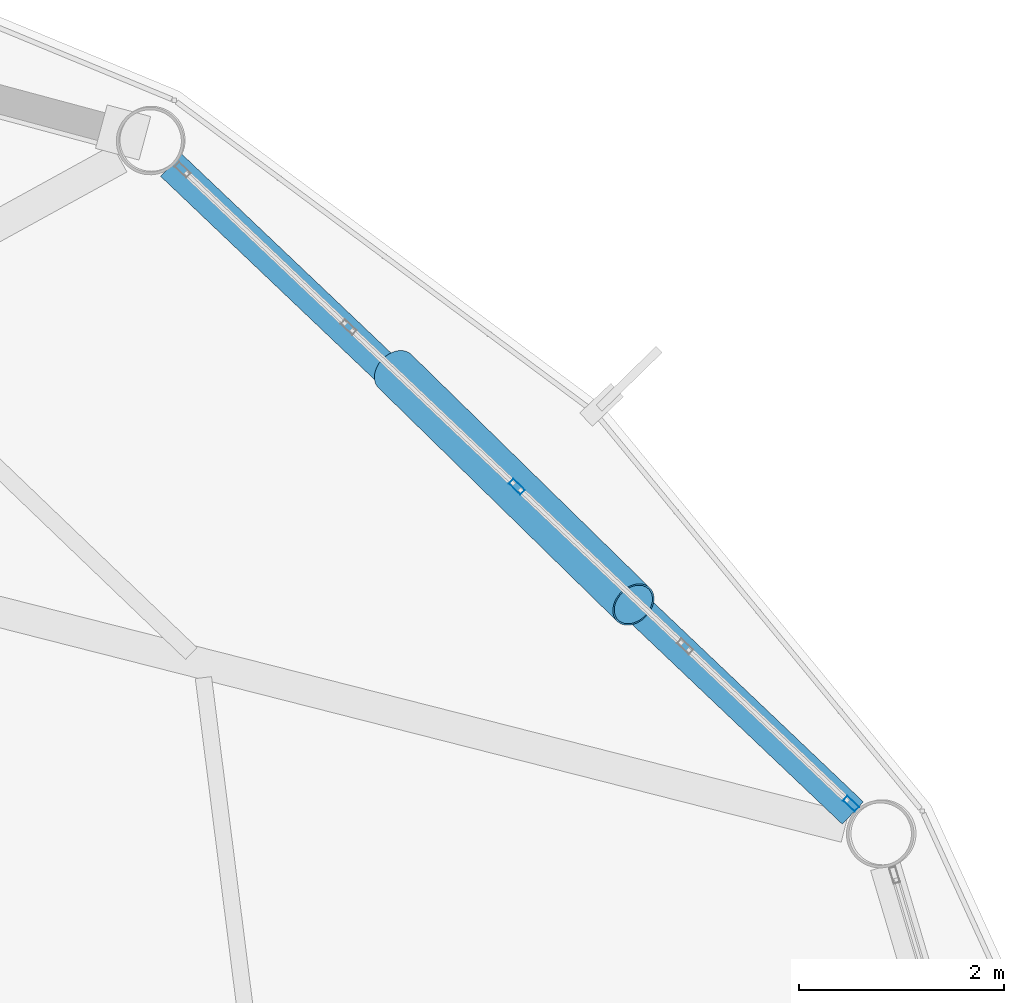
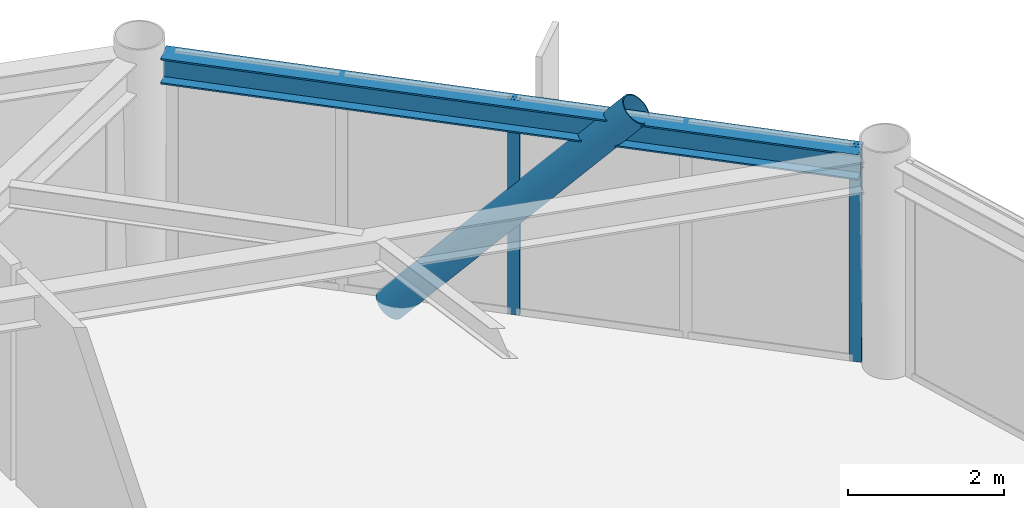
# One storey, part 17 of 28: 3 members, 1 beam, 1 element without a shape of its own.
"""IFC4 building model written with IfcOpenShell, lengths in metres."""

from ifc_helpers import new_model, si_unit, direction, frame, origin, origin_2d, place, context, subcontext, project, spatial, hollow_rectangle, hollow_circle, i_section, extrude, material, layer, layer_set, material_profile, profile_set, type_object, element, aggregate, save


model = new_model("IFC4")

# Units and contexts
model_context = context("Model", 3, precision=1e-05, world=origin(), true_north=direction((0.0, 1.0)))
body_context = subcontext(model_context, "Body", "Model", "MODEL_VIEW")
ifc_project = project(units=[si_unit("LENGTHUNIT", "METRE"), si_unit("AREAUNIT", "SQUARE_METRE"), si_unit("VOLUMEUNIT", "CUBIC_METRE"), si_unit("PLANEANGLEUNIT", "RADIAN"), si_unit("MASSUNIT", "GRAM", prefix="KILO")], contexts=[model_context])

# Site, building, storey
site_placement = place(None, origin())
site = spatial("IfcSite", under=ifc_project, at=site_placement, CompositionType="ELEMENT")
building_placement = place(site_placement, origin())
building = spatial("IfcBuilding", under=site, at=building_placement, Name="Varnakorn Sky Granary", CompositionType="ELEMENT")
storey_placement = place(building_placement, frame((0.0, 0.0, 186.0)))
storey = spatial("IfcBuildingStorey", under=building, at=storey_placement, Name="L46", CompositionType="ELEMENT", Elevation=186.0)

# Beam
ifc_material_1 = material(Name="Steel S355JR", Category="steel")
ifc_material_profile_1 = material_profile(ifc_material_1, i_section(OverallWidth=0.300048828125, OverallDepth=0.39990234375, WebThickness=0.013427734375, FlangeThickness=0.02392578125, at=origin_2d()), Name="HE 400 B")
ifc_profile_set_1 = profile_set([ifc_material_profile_1], Name="Steel S355JR")
beam_type = type_object("IfcBeamType", Name="BM-SPD-Z4", PredefinedType="SPANDREL", material=ifc_profile_set_1)
beam_placement = place(storey_placement, frame((21.460693359375, 9.45703125, 3.159912109375), z_axis=(-0.724852811502, 0.688903768067, 0.0), x_axis=(-0.688903768067, -0.724852811502, 0.0)))
element("IfcBeam", 1, at=beam_placement, inside=storey, type_object=beam_type, Name="Perimeter Spandrel Ring Beam RB02 L46", PredefinedType="SPANDREL", context=body_context, shape_type="SweptSolid", body=[
    extrude(i_section(OverallWidth=0.300048828125, OverallDepth=0.39990234375, WebThickness=0.013427734375, FlangeThickness=0.02392578125, at=origin_2d()), origin(), (0.0, 0.0, 1.0), 9.188720703125),
])

# Curtain wall, members
ifc_material_2 = material(Name="Anodised Bronze Aluminium Alloy 6063-T6", Category="aluminium")
ifc_layer = layer(ifc_material_2, 0.169921875, Name="Anodised Bronze Aluminium Alloy 6063-T6")
ifc_layer_set = layer_set([ifc_layer], Name="Anodised Bronze Aluminium Alloy 6063-T6")
curtain_wall_type = type_object("IfcCurtainWallType", Name="CW-LAB-1", PredefinedType="USERDEFINED", material=ifc_layer_set)
curtain_wall_placement = place(storey_placement, origin())
curtain_wall = element("IfcCurtainWall", 2, at=curtain_wall_placement, inside=storey, type_object=curtain_wall_type, Name="Unitised Curtain Wall CW5 CW-L46-B02", ObjectType="CURTAIN WALL", PredefinedType="USERDEFINED")
ifc_material_profile_2 = material_profile(ifc_material_2, hollow_rectangle(XDim=0.06494140625, YDim=0.159912109375, WallThickness=0.00341796875, at=origin_2d()), Name="ALU MULL 65x160")
ifc_profile_set_2 = profile_set([ifc_material_profile_2], Name="Anodised Bronze Aluminium Alloy 6063-T6")
member_type_1 = type_object("IfcMemberType", Name="CW-LAB-1-MULL", PredefinedType="MULLION", material=ifc_profile_set_2)
member_1_placement = place(storey_placement, frame((18.177001953125, 12.64453125, 0.0), z_axis=(0.0, 0.0, 1.0), x_axis=(0.688291544345, 0.725434180325, 0.0)))
member_1 = element("IfcMember", 3, at=member_1_placement, type_object=member_type_1, Name="CW5 mullion 3", PredefinedType="MULLION", context=body_context, shape_type="SweptSolid", body=[
    extrude(hollow_rectangle(XDim=0.06494140625, YDim=0.159912109375, WallThickness=0.00341796875, at=origin_2d()), origin(), (0.0, 0.0, 1.0), 3.360107421875),
])
member_2_placement = place(storey_placement, frame((21.44140625, 9.54736328125, 0.0), z_axis=(0.0, 0.0, 1.0), x_axis=(0.688291544345, 0.725434180325, 0.0)))
member_2 = element("IfcMember", 4, at=member_2_placement, type_object=member_type_1, Name="CW5 mullion 5", PredefinedType="MULLION", context=body_context, shape_type="SweptSolid", body=[
    extrude(hollow_rectangle(XDim=0.06494140625, YDim=0.159912109375, WallThickness=0.00341796875, at=origin_2d()), origin(), (0.0, 0.0, 1.0), 3.360107421875),
])
aggregate(curtain_wall, [member_1, member_2])

# Member
ifc_material_3 = material(Name="Steel S460M", Category="steel")
ifc_material_profile_3 = material_profile(ifc_material_3, hollow_circle(Radius=0.228515625, WallThickness=0.01611328125, at=origin_2d()), Name="CHS 457x16")
ifc_profile_set_3 = profile_set([ifc_material_profile_3], Name="Steel S460M")
member_type_2 = type_object("IfcMemberType", Name="MB-DIAG-T3", PredefinedType="BRACE", material=ifc_profile_set_3)
member_3_placement = place(storey_placement, frame((16.986572265625, 13.77392578125, -0.1298828125), z_axis=(0.478344155866, -0.467919220365, 0.743127493612), x_axis=(0.699274186459, 0.714853559936, 0.0)))
element("IfcMember", 5, at=member_3_placement, inside=storey, type_object=member_type_2, Name="Perimeter CHS Diagrid Brace DG02 L46", PredefinedType="BRACE", context=body_context, shape_type="SweptSolid", body=[
    extrude(hollow_circle(Radius=0.228515625, WallThickness=0.01611328125, at=origin_2d()), origin(), (0.0, 0.0, 1.0), 4.87109375),
])

save(model, "model.ifc")
